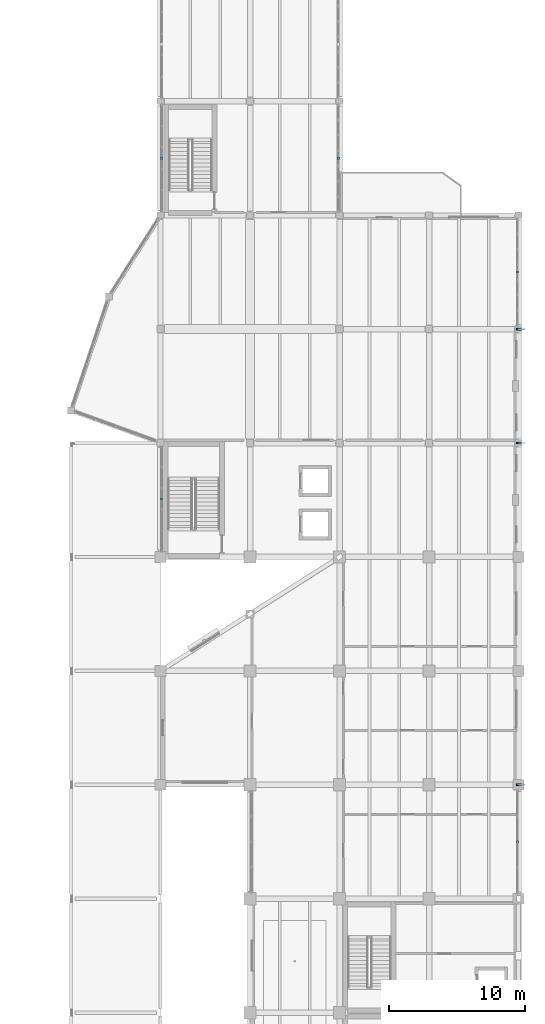
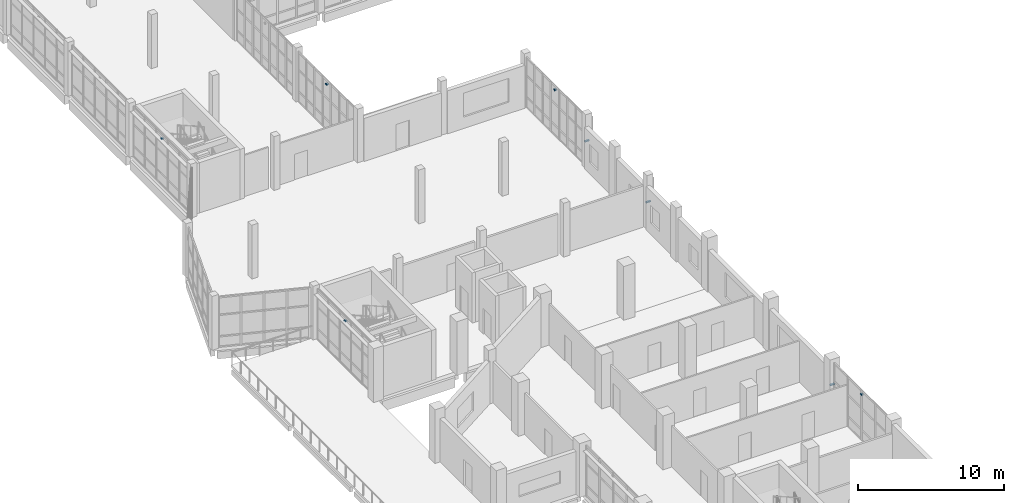
# One storey, part 67 of 83: 8 discrete accessories.
"""IFC4 building model written with IfcOpenShell, lengths in metres."""

from ifc_helpers import new_model, si_unit, direction, frame, origin, origin_2d, place, context, subcontext, project, spatial, rectangle, extrude, material, layer, layer_set, type_object, element, save


model = new_model("IFC4")

# Units and contexts
model_context = context("Model", 3, precision=1e-05, world=origin(), true_north=direction((0.0, 1.0)))
body_context = subcontext(model_context, "Body", "Model", "MODEL_VIEW")
ifc_project = project(units=[si_unit("LENGTHUNIT", "METRE"), si_unit("AREAUNIT", "SQUARE_METRE"), si_unit("VOLUMEUNIT", "CUBIC_METRE"), si_unit("PLANEANGLEUNIT", "RADIAN"), si_unit("MASSUNIT", "GRAM", prefix="KILO")], contexts=[model_context])

# Site, building, storey
site_placement = place(None, origin())
site = spatial("IfcSite", under=ifc_project, at=site_placement, CompositionType="ELEMENT")
building_placement = place(site_placement, origin())
building = spatial("IfcBuilding", under=site, at=building_placement, Name="Qaldarim Faculty of Natural and Applied Sciences", CompositionType="ELEMENT")
storey_placement = place(building_placement, frame((0.0, 0.0, 5.39990234375)))
storey = spatial("IfcBuildingStorey", under=building, at=storey_placement, Name="L01", CompositionType="ELEMENT", Elevation=5.39990234375)

# Discrete accessories
ifc_material = material(Name="Architectural stainless steel 316", Category="steel")
ifc_layer = layer(ifc_material, 0.080078125)
ifc_layer_set = layer_set([ifc_layer], Name="Architectural stainless steel 316")
discrete_accessory_type = type_object("IfcDiscreteAccessoryType", Name="FacadeBracket-SS120", PredefinedType="BRACKET", material=ifc_layer_set)
for number, where, z_axis, x_axis, name in (
    (1, (151.8798828125, 63.074951171875, 3.81005859375), (0.0, 0.0, 1.0), (0.0, 1.0, 0.0), "Solar louvre support bracket SHD-L01-W-X24Y08"),
    (2, (151.8798828125, 88.199951171875, 3.81005859375), (0.0, 0.0, 1.0), (0.0, 1.0, 0.0), "Solar louvre support bracket SHD-L01-W-X24Y11"),
    (3, (164.919921875, 88.199951171875, 3.81005859375), (0.0, 0.0, 1.0), (0.0, 1.0, 0.0), "Solar louvre support bracket SHD-L01-E-X25Y11"),
    (4, (178.1201171875, 37.800048828125, 3.81005859375), (0.0, 0.0, 1.0), (0.0, 1.0, 0.0), "Solar louvre support bracket SHD-L01-E-X27Y05"),
    (5, (178.1201171875, 79.800048828125, 3.81005859375), (0.0, 0.0, 1.0), (0.0, 1.0, 0.0), "Solar louvre support bracket SHD-L01-E-X27Y10"),
):
    element("IfcDiscreteAccessory", number, at=place(storey_placement, frame(where, z_axis=z_axis, x_axis=x_axis)), inside=storey, type_object=discrete_accessory_type, Name=name, PredefinedType="BRACKET", context=body_context, shape_type="SweptSolid", body=[
        extrude(rectangle(XDim=0.159912109375, YDim=0.159912109375, at=origin_2d()), origin(), (0.0, 0.0, 1.0), 0.080078125),
    ])
for number, where, z_axis, x_axis, name in (
    (6, (178.199951171875, 42.0, 2.050048828125), (0.0, 0.0, 1.0), (1.0, 0.0, 0.0), "Solar fin bracket FIN-L01-X28Y06"),
    (7, (178.199951171875, 67.199951171875, 2.050048828125), (0.0, 0.0, 1.0), (1.0, 0.0, 0.0), "Solar fin bracket FIN-L01-X28Y09"),
    (8, (178.199951171875, 75.60009765625, 2.050048828125), (0.0, 0.0, 1.0), (1.0, 0.0, 0.0), "Solar fin bracket FIN-L01-X28Y10"),
):
    element("IfcDiscreteAccessory", number, at=place(storey_placement, frame(where, z_axis=z_axis, x_axis=x_axis)), inside=storey, type_object=discrete_accessory_type, Name=name, PredefinedType="BRACKET", context=body_context, shape_type="SweptSolid", body=[
        extrude(rectangle(XDim=0.360107421875, YDim=0.139892578125, at=origin_2d()), origin(), (0.0, 0.0, 1.0), 0.10009765625),
    ])

save(model, "model.ifc")
